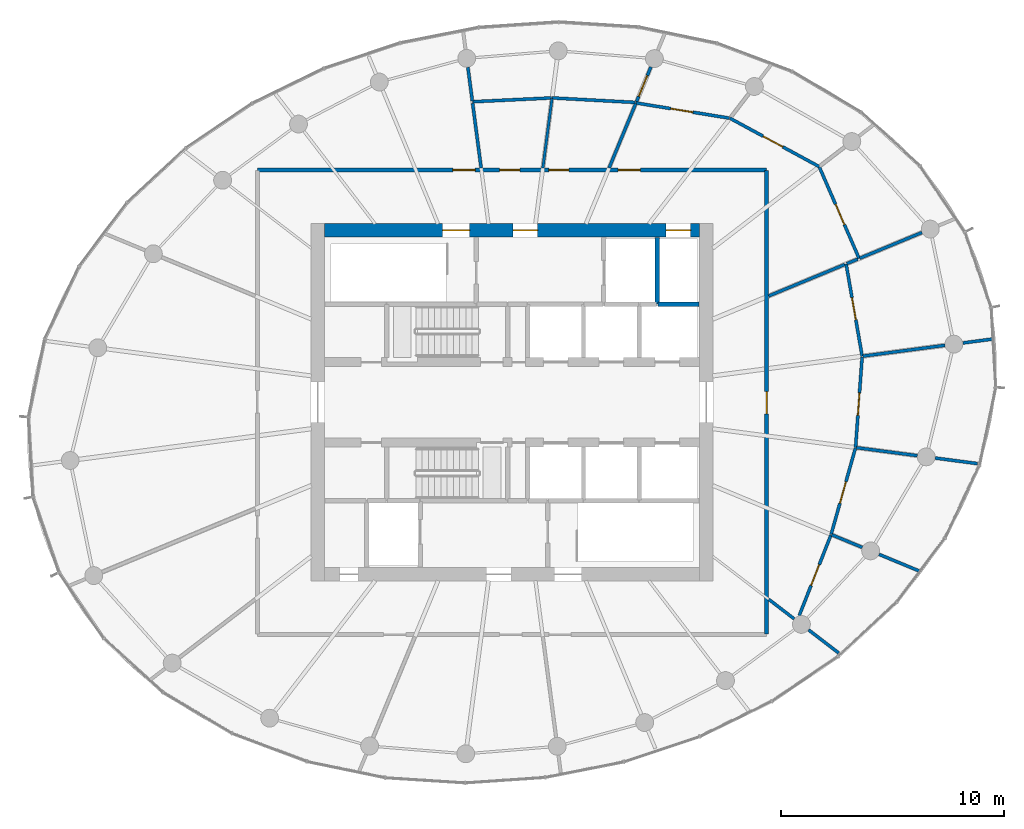
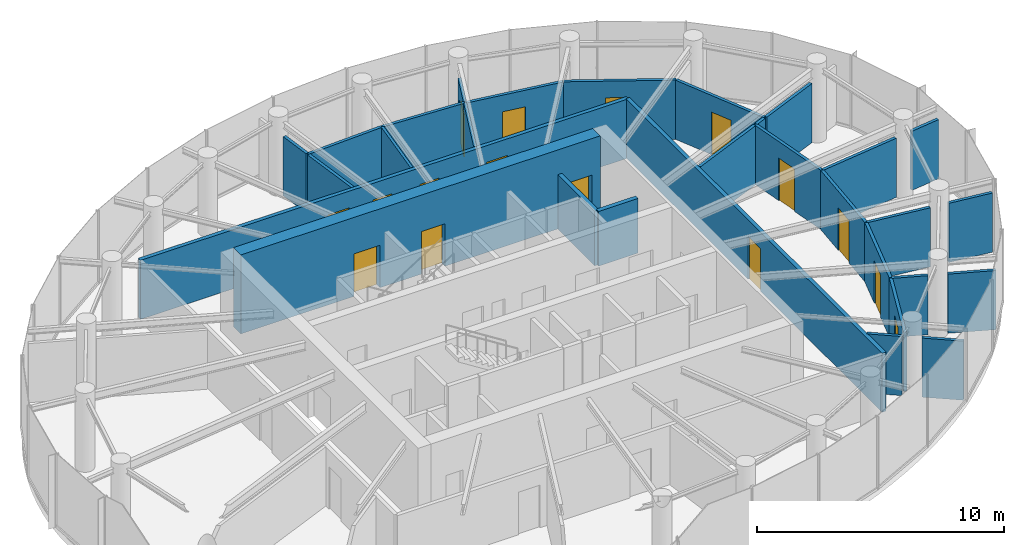
# One storey, part 10 of 13: 30 walls, 16 doors, 16 openings.
"""IFC4 building model written with IfcOpenShell, lengths in metres."""

from ifc_helpers import new_model, si_unit, direction, frame, frame_2d, origin, place, context, subcontext, project, spatial, rectangle, extrude, source, transform, mapped, material, layer, layer_set, type_object, element, fill, save


model = new_model("IFC4")

# Units and contexts
model_context = context("Model", 3, precision=1e-05, world=origin(), true_north=direction((0.0, 1.0)))
body_context = subcontext(model_context, "Body", "Model", "MODEL_VIEW")
ifc_project = project(units=[si_unit("LENGTHUNIT", "METRE"), si_unit("AREAUNIT", "SQUARE_METRE"), si_unit("VOLUMEUNIT", "CUBIC_METRE"), si_unit("PLANEANGLEUNIT", "RADIAN"), si_unit("MASSUNIT", "GRAM", prefix="KILO")], contexts=[model_context])

# Site, building, storey
site_placement = place(None, origin())
site = spatial("IfcSite", under=ifc_project, at=site_placement, CompositionType="ELEMENT")
building_placement = place(site_placement, origin())
building = spatial("IfcBuilding", under=site, at=building_placement, Name="Spindrift Exchange Tower", CompositionType="ELEMENT")
storey_placement = place(building_placement, frame((0.0, 0.0, 265.699951171875)))
storey = spatial("IfcBuildingStorey", under=building, at=storey_placement, Name="L65", CompositionType="ELEMENT", Elevation=265.699951171875)

# Wall, openings, doors
ifc_material_1 = material(Name="Concrete 50 MPa", Category="concrete")
ifc_layer_1 = layer(ifc_material_1, 0.60009765625)
ifc_layer_set_1 = layer_set([ifc_layer_1], Name="RC Core Wall 600 Concrete 50 MPa")
wall_type_1 = type_object("IfcWallType", Name="RC Core Wall 600 Concrete 50 MPa", PredefinedType="SHEAR", material=ifc_layer_set_1)
wall_1_placement = place(storey_placement, frame((60.39990234375, 55.699951171875, 0.0), z_axis=(0.0, 0.0, 1.0), x_axis=(-1.0, 0.0, 0.0)))
wall_1 = element("IfcWall", 1, at=wall_1_placement, inside=storey, type_object=wall_type_1, Name="Core wall N L65", PredefinedType="SHEAR", context=body_context, shape_type="SweptSolid", body=[
    extrude(rectangle(XDim=16.7998046875, YDim=0.60009765625, at=frame_2d((8.39990234375, 0.0))), origin(), (0.0, 0.0, 1.0), 3.900146484375),
])
opening_1_placement = place(wall_1_placement, frame((0.39990234375, 0.0, 0.0)))
opening_1 = element("IfcOpeningElement", 2, at=opening_1_placement, cuts=wall_1, Name="Opening L65-D11", PredefinedType="OPENING", context=body_context, shape_type="SweptSolid", body=[
    extrude(rectangle(XDim=1.10009765625, YDim=2.10009765625, at=frame_2d((0.550048828125, 1.050048828125))), frame((0.0, 0.31005859375, 0.0), z_axis=(0.0, -1.0, 0.0), x_axis=(1.0, 0.0, 0.0)), (0.0, 0.0, 1.0), 0.6201171875),
])
opening_2_placement = place(wall_1_placement, frame((10.300048828125, 0.0, 0.0)))
opening_2 = element("IfcOpeningElement", 3, at=opening_2_placement, cuts=wall_1, Name="Opening L65-D12", PredefinedType="OPENING", context=body_context, shape_type="SweptSolid", body=[
    extrude(rectangle(XDim=1.199951171875, YDim=2.10009765625, at=frame_2d((0.60009765625, 1.050048828125))), frame((0.0, 0.31005859375, 0.0), z_axis=(0.0, -1.0, 0.0), x_axis=(1.0, 0.0, 0.0)), (0.0, 0.0, 1.0), 0.6201171875),
])
opening_3_placement = place(wall_1_placement, frame((7.25, 0.0, 0.0)))
opening_3 = element("IfcOpeningElement", 4, at=opening_3_placement, cuts=wall_1, Name="Opening L65-D14", PredefinedType="OPENING", context=body_context, shape_type="SweptSolid", body=[
    extrude(rectangle(XDim=1.10009765625, YDim=2.10009765625, at=frame_2d((0.550048828125, 1.050048828125))), frame((0.0, 0.31005859375, 0.0), z_axis=(0.0, -1.0, 0.0), x_axis=(1.0, 0.0, 0.0)), (0.0, 0.0, 1.0), 0.6201171875),
])
ifc_material_2 = material(Name="Stainless steel landing door", Category="steel")
door_type_1 = type_object("IfcDoorType", Name="DR-LANDING-1100-SL", OperationType="DOUBLE_DOOR_SLIDING", PredefinedType="USERDEFINED", material=ifc_material_2)
shared_shape_1 = source(origin(), body_context, "Body", "SweptSolid", [
    extrude(rectangle(XDim=1.10009765625, YDim=2.10009765625, at=frame_2d((0.550048828125, 1.050048828125))), frame((0.0, 0.02490234375, 0.0), z_axis=(0.0, -1.0, 0.0), x_axis=(1.0, 0.0, 0.0)), (0.0, 0.0, 1.0), 0.050048828125),
])
door_1_placement = place(opening_1_placement, origin())
door_1 = element("IfcDoor", 5, at=door_1_placement, inside=storey, type_object=door_type_1, Name="L65 Lift landing door 11", ObjectType="LANDING DOOR", OperationType="DOUBLE_DOOR_SLIDING", OverallHeight=2.10009765625, OverallWidth=1.10009765625, PredefinedType="USERDEFINED", context=body_context, shape_type="MappedRepresentation", body=[
    mapped(shared_shape_1, transform((0.0, 0.0, 0.0), scale=1.0)),
])
fill(opening_1, door_1)
ifc_material_3 = material(Name="Steel fire door", Category="steel")
door_type_2 = type_object("IfcDoorType", Name="DR-STAIR-1200", OperationType="NOTDEFINED", PredefinedType="DOOR", material=ifc_material_3)
shared_shape_2 = source(origin(), body_context, "Body", "SweptSolid", [
    extrude(rectangle(XDim=1.199951171875, YDim=2.10009765625, at=frame_2d((0.60009765625, 1.050048828125))), frame((0.0, 0.02490234375, 0.0), z_axis=(0.0, -1.0, 0.0), x_axis=(1.0, 0.0, 0.0)), (0.0, 0.0, 1.0), 0.050048828125),
])
door_2_placement = place(opening_2_placement, origin())
door_2 = element("IfcDoor", 6, at=door_2_placement, inside=storey, type_object=door_type_2, Name="L65 Stair door 12", OperationType="SINGLE_SWING_RIGHT", OverallHeight=2.10009765625, OverallWidth=1.199951171875, PredefinedType="DOOR", context=body_context, shape_type="MappedRepresentation", body=[
    mapped(shared_shape_2, transform((0.0, 0.0, 0.0), scale=1.0)),
])
fill(opening_2, door_2)
ifc_material_4 = material(Name="Timber-core fire door", Category="wood")
door_type_3 = type_object("IfcDoorType", Name="DR-LOBBY-1100", OperationType="NOTDEFINED", PredefinedType="DOOR", material=ifc_material_4)
shared_shape_3 = source(origin(), body_context, "Body", "SweptSolid", [
    extrude(rectangle(XDim=1.10009765625, YDim=2.10009765625, at=frame_2d((0.550048828125, 1.050048828125))), frame((0.0, 0.02490234375, 0.0), z_axis=(0.0, -1.0, 0.0), x_axis=(1.0, 0.0, 0.0)), (0.0, 0.0, 1.0), 0.050048828125),
])
door_3_placement = place(opening_3_placement, origin())
door_3 = element("IfcDoor", 7, at=door_3_placement, inside=storey, type_object=door_type_3, Name="L65 Lobby door 14", OperationType="SINGLE_SWING_RIGHT", OverallHeight=2.10009765625, OverallWidth=1.10009765625, PredefinedType="DOOR", context=body_context, shape_type="MappedRepresentation", body=[
    mapped(shared_shape_3, transform((0.0, 0.0, 0.0), scale=1.0)),
])
fill(opening_3, door_3)

ifc_material_5 = material(Name="Fire-rated plasterboard partition", Category="gypsum")
ifc_layer_2 = layer(ifc_material_5, 0.179931640625)
ifc_layer_set_2 = layer_set([ifc_layer_2], Name="W-CORR-180")
wall_type_2 = type_object("IfcWallType", Name="W-CORR-180", PredefinedType="PARTITIONING", material=ifc_layer_set_2)
wall_2_placement = place(storey_placement, frame((40.60009765625, 58.39990234375, 0.0), z_axis=(0.0, 0.0, 1.0), x_axis=(1.0, 0.0, 0.0)))
wall_2 = element("IfcWall", 8, at=wall_2_placement, inside=storey, type_object=wall_type_2, Name="L65 Partition wall 35", PredefinedType="PARTITIONING", context=body_context, shape_type="SweptSolid", body=[
    extrude(rectangle(XDim=22.7998046875, YDim=0.179931640625, at=frame_2d((11.39990234375, 0.0))), origin(), (0.0, 0.0, 1.0), 2.920166015625),
])
opening_4_placement = place(wall_2_placement, frame((13.050048828125, 0.0, 0.0)))
opening_4 = element("IfcOpeningElement", 9, at=opening_4_placement, cuts=wall_2, Name="Opening L65-D23", PredefinedType="OPENING", context=body_context, shape_type="SweptSolid", body=[
    extrude(rectangle(XDim=0.89990234375, YDim=2.10009765625, at=frame_2d((0.449951171875, 1.050048828125))), frame((0.0, 0.099853515625, 0.0), z_axis=(0.0, -1.0, 0.0), x_axis=(1.0, 0.0, 0.0)), (0.0, 0.0, 1.0), 0.199951171875),
])
opening_5_placement = place(wall_2_placement, frame((10.85009765625, 0.0, 0.0)))
opening_5 = element("IfcOpeningElement", 10, at=opening_5_placement, cuts=wall_2, Name="Opening L65-D24", PredefinedType="OPENING", context=body_context, shape_type="SweptSolid", body=[
    extrude(rectangle(XDim=0.89990234375, YDim=2.10009765625, at=frame_2d((0.449951171875, 1.050048828125))), frame((0.0, 0.099853515625, 0.0), z_axis=(0.0, -1.0, 0.0), x_axis=(1.0, 0.0, 0.0)), (0.0, 0.0, 1.0), 0.199951171875),
])
opening_6_placement = place(wall_2_placement, frame((8.75, 0.0, 0.0)))
opening_6 = element("IfcOpeningElement", 11, at=opening_6_placement, cuts=wall_2, Name="Opening L65-D25", PredefinedType="OPENING", context=body_context, shape_type="SweptSolid", body=[
    extrude(rectangle(XDim=1.0, YDim=2.10009765625, at=frame_2d((0.5, 1.050048828125))), frame((0.0, 0.099853515625, 0.0), z_axis=(0.0, -1.0, 0.0), x_axis=(1.0, 0.0, 0.0)), (0.0, 0.0, 1.0), 0.199951171875),
])
opening_7_placement = place(wall_2_placement, frame((16.14990234375, 0.0, 0.0)))
opening_7 = element("IfcOpeningElement", 12, at=opening_7_placement, cuts=wall_2, Name="Opening L65-D37", PredefinedType="OPENING", context=body_context, shape_type="SweptSolid", body=[
    extrude(rectangle(XDim=1.0, YDim=2.10009765625, at=frame_2d((0.5, 1.050048828125))), frame((0.0, 0.099853515625, 0.0), z_axis=(0.0, -1.0, 0.0), x_axis=(1.0, 0.0, 0.0)), (0.0, 0.0, 1.0), 0.199951171875),
])
door_type_4 = type_object("IfcDoorType", Name="DR-ROOM-1000", OperationType="NOTDEFINED", PredefinedType="DOOR", material=ifc_material_4)
shared_shape_4 = source(origin(), body_context, "Body", "SweptSolid", [
    extrude(rectangle(XDim=1.0, YDim=2.10009765625, at=frame_2d((0.5, 1.050048828125))), frame((0.0, 0.02490234375, 0.0), z_axis=(0.0, -1.0, 0.0), x_axis=(1.0, 0.0, 0.0)), (0.0, 0.0, 1.0), 0.050048828125),
])
door_4_placement = place(opening_6_placement, origin())
door_4 = element("IfcDoor", 13, at=door_4_placement, inside=storey, type_object=door_type_4, Name="L65 Door 25", OperationType="SINGLE_SWING_LEFT", OverallHeight=2.10009765625, OverallWidth=1.0, PredefinedType="DOOR", context=body_context, shape_type="MappedRepresentation", body=[
    mapped(shared_shape_4, transform((0.0, 0.0, 0.0), scale=1.0)),
])
fill(opening_6, door_4)
door_5_placement = place(opening_7_placement, origin())
door_5 = element("IfcDoor", 14, at=door_5_placement, inside=storey, type_object=door_type_4, Name="L65 Door 37", OperationType="SINGLE_SWING_LEFT", OverallHeight=2.10009765625, OverallWidth=1.0, PredefinedType="DOOR", context=body_context, shape_type="MappedRepresentation", body=[
    mapped(shared_shape_4, transform((0.0, 0.0, 0.0), scale=1.0)),
])
fill(opening_7, door_5)
ifc_material_6 = material(Name="Laminate washroom door", Category="wood")
door_type_5 = type_object("IfcDoorType", Name="DR-WC-900", OperationType="NOTDEFINED", PredefinedType="DOOR", material=ifc_material_6)
shared_shape_5 = source(origin(), body_context, "Body", "SweptSolid", [
    extrude(rectangle(XDim=0.89990234375, YDim=2.10009765625, at=frame_2d((0.449951171875, 1.050048828125))), frame((0.0, 0.02490234375, 0.0), z_axis=(0.0, -1.0, 0.0), x_axis=(1.0, 0.0, 0.0)), (0.0, 0.0, 1.0), 0.050048828125),
])
door_6_placement = place(opening_4_placement, origin())
door_6 = element("IfcDoor", 15, at=door_6_placement, inside=storey, type_object=door_type_5, Name="L65 WC door 23", OperationType="SINGLE_SWING_LEFT", OverallHeight=2.10009765625, OverallWidth=0.89990234375, PredefinedType="DOOR", context=body_context, shape_type="MappedRepresentation", body=[
    mapped(shared_shape_5, transform((0.0, 0.0, 0.0), scale=1.0)),
])
fill(opening_4, door_6)
door_7_placement = place(opening_5_placement, origin())
door_7 = element("IfcDoor", 16, at=door_7_placement, inside=storey, type_object=door_type_5, Name="L65 WC door 24", OperationType="SINGLE_SWING_RIGHT", OverallHeight=2.10009765625, OverallWidth=0.89990234375, PredefinedType="DOOR", context=body_context, shape_type="MappedRepresentation", body=[
    mapped(shared_shape_5, transform((0.0, 0.0, 0.0), scale=1.0)),
])
fill(opening_5, door_7)

# Wall, opening, door
wall_3_placement = place(storey_placement, frame((63.39990234375, 58.3701171875, 0.0), z_axis=(0.0, 0.0, 1.0), x_axis=(0.0, -1.0, 0.0)))
wall_3 = element("IfcWall", 17, at=wall_3_placement, inside=storey, type_object=wall_type_2, Name="L65 Partition wall 37", PredefinedType="PARTITIONING", context=body_context, shape_type="SweptSolid", body=[
    extrude(rectangle(XDim=20.740234375, YDim=0.179931640625, at=frame_2d((10.3701171875, 0.0))), origin(), (0.0, 0.0, 1.0), 2.920166015625),
])
opening_8_placement = place(wall_3_placement, frame((9.889892578125, 0.0, 0.0)))
opening_8 = element("IfcOpeningElement", 18, at=opening_8_placement, cuts=wall_3, Name="Opening L65-D32", PredefinedType="OPENING", context=body_context, shape_type="SweptSolid", body=[
    extrude(rectangle(XDim=1.0, YDim=2.10009765625, at=frame_2d((0.5, 1.050048828125))), frame((0.0, 0.099853515625, 0.0), z_axis=(0.0, -1.0, 0.0), x_axis=(1.0, 0.0, 0.0)), (0.0, 0.0, 1.0), 0.199951171875),
])
door_8_placement = place(opening_8_placement, origin())
door_8 = element("IfcDoor", 19, at=door_8_placement, inside=storey, type_object=door_type_4, Name="L65 Door 32", OperationType="SINGLE_SWING_RIGHT", OverallHeight=2.10009765625, OverallWidth=1.0, PredefinedType="DOOR", context=body_context, shape_type="MappedRepresentation", body=[
    mapped(shared_shape_4, transform((0.0, 0.0, 0.0), scale=1.0)),
])
fill(opening_8, door_8)

ifc_layer_3 = layer(ifc_material_5, 0.139892578125)
ifc_layer_set_3 = layer_set([ifc_layer_3], Name="W-PART-140")
wall_type_3 = type_object("IfcWallType", Name="W-PART-140", PredefinedType="PARTITIONING", material=ifc_layer_set_3)
wall_4_placement = place(storey_placement, frame((61.755859375, 60.714111328125, 0.0), z_axis=(0.0, 0.0, 1.0), x_axis=(0.879039493049, -0.47674895874, 0.0)))
wall_4 = element("IfcWall", 20, at=wall_4_placement, inside=storey, type_object=wall_type_3, Name="L65 Partition wall 43", PredefinedType="PARTITIONING", context=body_context, shape_type="SweptSolid", body=[
    extrude(rectangle(XDim=4.541259765625, YDim=0.139892578125, at=frame_2d((2.2705078125, 0.0))), origin(), (0.0, 0.0, 1.0), 2.920166015625),
])
opening_9_placement = place(wall_4_placement, frame((1.691162109375, 0.0, 0.0)))
opening_9 = element("IfcOpeningElement", 21, at=opening_9_placement, cuts=wall_4, Name="Opening L65-D39", PredefinedType="OPENING", context=body_context, shape_type="SweptSolid", body=[
    extrude(rectangle(XDim=1.0, YDim=2.10009765625, at=frame_2d((0.5, 1.050048828125))), frame((0.0, 0.079833984375, 0.0), z_axis=(0.0, -1.0, 0.0), x_axis=(1.0, 0.0, 0.0)), (0.0, 0.0, 1.0), 0.159912109375),
])
door_9_placement = place(opening_9_placement, origin())
door_9 = element("IfcDoor", 22, at=door_9_placement, inside=storey, type_object=door_type_4, Name="L65 Door 39", OperationType="SINGLE_SWING_LEFT", OverallHeight=2.10009765625, OverallWidth=1.0, PredefinedType="DOOR", context=body_context, shape_type="MappedRepresentation", body=[
    mapped(shared_shape_4, transform((0.0, 0.0, 0.0), scale=1.0)),
])
fill(opening_9, door_9)

wall_5_placement = place(storey_placement, frame((65.759765625, 58.521484375, 0.0), z_axis=(0.0, 0.0, 1.0), x_axis=(0.398952504151, -0.916971591398, 0.0)))
wall_5 = element("IfcWall", 23, at=wall_5_placement, inside=storey, type_object=wall_type_3, Name="L65 Partition wall 44", PredefinedType="PARTITIONING", context=body_context, shape_type="SweptSolid", body=[
    extrude(rectangle(XDim=4.45556640625, YDim=0.139892578125, at=frame_2d((2.227783203125, 0.0))), origin(), (0.0, 0.0, 1.0), 2.920166015625),
])
opening_10_placement = place(wall_5_placement, frame((1.8056640625, 0.0, 0.0)))
opening_10 = element("IfcOpeningElement", 24, at=opening_10_placement, cuts=wall_5, Name="Opening L65-D38", PredefinedType="OPENING", context=body_context, shape_type="SweptSolid", body=[
    extrude(rectangle(XDim=1.0, YDim=2.10009765625, at=frame_2d((0.5, 1.050048828125))), frame((0.0, 0.079833984375, 0.0), z_axis=(0.0, -1.0, 0.0), x_axis=(1.0, 0.0, 0.0)), (0.0, 0.0, 1.0), 0.159912109375),
])
door_10_placement = place(opening_10_placement, origin())
door_10 = element("IfcDoor", 25, at=door_10_placement, inside=storey, type_object=door_type_4, Name="L65 Door 38", OperationType="SINGLE_SWING_RIGHT", OverallHeight=2.10009765625, OverallWidth=1.0, PredefinedType="DOOR", context=body_context, shape_type="MappedRepresentation", body=[
    mapped(shared_shape_4, transform((0.0, 0.0, 0.0), scale=1.0)),
])
fill(opening_10, door_10)

wall_6_placement = place(storey_placement, frame((57.5498046875, 61.3984375, 0.0), z_axis=(0.0, 0.0, 1.0), x_axis=(0.987024287771, -0.160571028986, 0.0)))
wall_6 = element("IfcWall", 26, at=wall_6_placement, inside=storey, type_object=wall_type_3, Name="L65 Partition wall 46", PredefinedType="PARTITIONING", context=body_context, shape_type="SweptSolid", body=[
    extrude(rectangle(XDim=4.2314453125, YDim=0.139892578125, at=frame_2d((2.11572265625, 0.0))), origin(), (0.0, 0.0, 1.0), 2.920166015625),
])
opening_11_placement = place(wall_6_placement, frame((1.581298828125, 0.0, 0.0)))
opening_11 = element("IfcOpeningElement", 27, at=opening_11_placement, cuts=wall_6, Name="Opening L65-D40", PredefinedType="OPENING", context=body_context, shape_type="SweptSolid", body=[
    extrude(rectangle(XDim=1.0, YDim=2.10009765625, at=frame_2d((0.5, 1.050048828125))), frame((0.0, 0.079833984375, 0.0), z_axis=(0.0, -1.0, 0.0), x_axis=(1.0, 0.0, 0.0)), (0.0, 0.0, 1.0), 0.159912109375),
])
door_11_placement = place(opening_11_placement, origin())
door_11 = element("IfcDoor", 28, at=door_11_placement, inside=storey, type_object=door_type_4, Name="L65 Door 40", OperationType="SINGLE_SWING_RIGHT", OverallHeight=2.10009765625, OverallWidth=1.0, PredefinedType="DOOR", context=body_context, shape_type="MappedRepresentation", body=[
    mapped(shared_shape_4, transform((0.0, 0.0, 0.0), scale=1.0)),
])
fill(opening_11, door_11)

wall_7_placement = place(storey_placement, frame((66.95361328125, 54.194091796875, 0.0), z_axis=(0.0, 0.0, 1.0), x_axis=(0.171306772049, -0.985217737279, 0.0)))
wall_7 = element("IfcWall", 29, at=wall_7_placement, inside=storey, type_object=wall_type_3, Name="L65 Partition wall 47", PredefinedType="PARTITIONING", context=body_context, shape_type="SweptSolid", body=[
    extrude(rectangle(XDim=4.19287109375, YDim=0.139892578125, at=frame_2d((2.096435546875, 0.0))), origin(), (0.0, 0.0, 1.0), 2.920166015625),
])
opening_12_placement = place(wall_7_placement, frame((1.542724609375, 0.0, 0.0)))
opening_12 = element("IfcOpeningElement", 30, at=opening_12_placement, cuts=wall_7, Name="Opening L65-D36", PredefinedType="OPENING", context=body_context, shape_type="SweptSolid", body=[
    extrude(rectangle(XDim=1.0, YDim=2.10009765625, at=frame_2d((0.5, 1.050048828125))), frame((0.0, 0.079833984375, 0.0), z_axis=(0.0, -1.0, 0.0), x_axis=(1.0, 0.0, 0.0)), (0.0, 0.0, 1.0), 0.159912109375),
])
door_12_placement = place(opening_12_placement, origin())
door_12 = element("IfcDoor", 31, at=door_12_placement, inside=storey, type_object=door_type_4, Name="L65 Door 36", OperationType="SINGLE_SWING_RIGHT", OverallHeight=2.10009765625, OverallWidth=1.0, PredefinedType="DOOR", context=body_context, shape_type="MappedRepresentation", body=[
    mapped(shared_shape_4, transform((0.0, 0.0, 0.0), scale=1.0)),
])
fill(opening_12, door_12)

wall_8_placement = place(storey_placement, frame((67.669677734375, 50.033203125, 0.0), z_axis=(0.0, 0.0, 1.0), x_axis=(-0.071895294676, -0.997412184908, 0.0)))
wall_8 = element("IfcWall", 32, at=wall_8_placement, inside=storey, type_object=wall_type_3, Name="L65 Partition wall 48", PredefinedType="PARTITIONING", context=body_context, shape_type="SweptSolid", body=[
    extrude(rectangle(XDim=4.068115234375, YDim=0.139892578125, at=frame_2d((2.0341796875, 0.0))), origin(), (0.0, 0.0, 1.0), 2.920166015625),
])
opening_13_placement = place(wall_8_placement, frame((1.618408203125, 0.0, 0.0)))
opening_13 = element("IfcOpeningElement", 33, at=opening_13_placement, cuts=wall_8, Name="Opening L65-D35", PredefinedType="OPENING", context=body_context, shape_type="SweptSolid", body=[
    extrude(rectangle(XDim=1.0, YDim=2.10009765625, at=frame_2d((0.5, 1.050048828125))), frame((0.0, 0.079833984375, 0.0), z_axis=(0.0, -1.0, 0.0), x_axis=(1.0, 0.0, 0.0)), (0.0, 0.0, 1.0), 0.159912109375),
])
door_13_placement = place(opening_13_placement, origin())
door_13 = element("IfcDoor", 34, at=door_13_placement, inside=storey, type_object=door_type_4, Name="L65 Door 35", OperationType="SINGLE_SWING_LEFT", OverallHeight=2.10009765625, OverallWidth=1.0, PredefinedType="DOOR", context=body_context, shape_type="MappedRepresentation", body=[
    mapped(shared_shape_4, transform((0.0, 0.0, 0.0), scale=1.0)),
])
fill(opening_13, door_13)

wall_9_placement = place(storey_placement, frame((67.368896484375, 45.94677734375, 0.0), z_axis=(0.0, 0.0, 1.0), x_axis=(-0.270692717002, -0.962665805439, 0.0)))
wall_9 = element("IfcWall", 35, at=wall_9_placement, inside=storey, type_object=wall_type_3, Name="L65 Partition wall 49", PredefinedType="PARTITIONING", context=body_context, shape_type="SweptSolid", body=[
    extrude(rectangle(XDim=4.0126953125, YDim=0.139892578125, at=frame_2d((2.00634765625, 0.0))), origin(), (0.0, 0.0, 1.0), 2.920166015625),
])
opening_14_placement = place(wall_9_placement, frame((1.5625, 0.0, 0.0)))
opening_14 = element("IfcOpeningElement", 36, at=opening_14_placement, cuts=wall_9, Name="Opening L65-D34", PredefinedType="OPENING", context=body_context, shape_type="SweptSolid", body=[
    extrude(rectangle(XDim=1.0, YDim=2.10009765625, at=frame_2d((0.5, 1.050048828125))), frame((0.0, 0.079833984375, 0.0), z_axis=(0.0, -1.0, 0.0), x_axis=(1.0, 0.0, 0.0)), (0.0, 0.0, 1.0), 0.159912109375),
])
door_14_placement = place(opening_14_placement, origin())
door_14 = element("IfcDoor", 37, at=door_14_placement, inside=storey, type_object=door_type_4, Name="L65 Door 34", OperationType="SINGLE_SWING_RIGHT", OverallHeight=2.10009765625, OverallWidth=1.0, PredefinedType="DOOR", context=body_context, shape_type="MappedRepresentation", body=[
    mapped(shared_shape_4, transform((0.0, 0.0, 0.0), scale=1.0)),
])
fill(opening_14, door_14)

wall_10_placement = place(storey_placement, frame((66.271728515625, 42.055908203125, 0.0), z_axis=(0.0, 0.0, 1.0), x_axis=(-0.365958681955, -0.930631099363, 0.0)))
wall_10 = element("IfcWall", 38, at=wall_10_placement, inside=storey, type_object=wall_type_3, Name="L65 Partition wall 50", PredefinedType="PARTITIONING", context=body_context, shape_type="SweptSolid", body=[
    extrude(rectangle(XDim=3.871337890625, YDim=0.139892578125, at=frame_2d((1.935546875, 0.0))), origin(), (0.0, 0.0, 1.0), 2.920166015625),
])
opening_15_placement = place(wall_10_placement, frame((1.42138671875, 0.0, 0.0)))
opening_15 = element("IfcOpeningElement", 39, at=opening_15_placement, cuts=wall_10, Name="Opening L65-D33", PredefinedType="OPENING", context=body_context, shape_type="SweptSolid", body=[
    extrude(rectangle(XDim=1.0, YDim=2.10009765625, at=frame_2d((0.5, 1.050048828125))), frame((0.0, 0.079833984375, 0.0), z_axis=(0.0, -1.0, 0.0), x_axis=(1.0, 0.0, 0.0)), (0.0, 0.0, 1.0), 0.159912109375),
])
door_15_placement = place(opening_15_placement, origin())
door_15 = element("IfcDoor", 40, at=door_15_placement, inside=storey, type_object=door_type_4, Name="L65 Door 33", OperationType="SINGLE_SWING_LEFT", OverallHeight=2.10009765625, OverallWidth=1.0, PredefinedType="DOOR", context=body_context, shape_type="MappedRepresentation", body=[
    mapped(shared_shape_4, transform((0.0, 0.0, 0.0), scale=1.0)),
])
fill(opening_15, door_15)

# Walls
wall_11_placement = place(storey_placement, frame((63.489990234375, 52.75927734375, 0.0), z_axis=(0.0, 0.0, 1.0), x_axis=(0.923884131492, 0.382672329255, 0.0)))
element("IfcWall", 41, at=wall_11_placement, inside=storey, type_object=wall_type_3, Name="L65 Partition wall 51", PredefinedType="PARTITIONING", context=body_context, shape_type="SweptSolid", body=[
    extrude(rectangle(XDim=3.67724609375, YDim=0.139892578125, at=frame_2d((1.838623046875, 0.0))), origin(), (0.0, 0.0, 1.0), 2.920166015625),
])
wall_12_placement = place(storey_placement, frame((57.53076171875, 61.42138671875, 0.0), z_axis=(0.0, 0.0, 1.0), x_axis=(-0.998536661474, 0.05407897644, 0.0)))
element("IfcWall", 42, at=wall_12_placement, inside=storey, type_object=wall_type_3, Name="L65 Partition wall 52", PredefinedType="PARTITIONING", context=body_context, shape_type="SweptSolid", body=[
    extrude(rectangle(XDim=3.742431640625, YDim=0.139892578125, at=frame_2d((1.87109375, 0.0))), origin(), (0.0, 0.0, 1.0), 2.920166015625),
])
wall_13_placement = place(storey_placement, frame((67.701416015625, 50.067138671875, 0.0), z_axis=(0.0, 0.0, 1.0), x_axis=(0.991450259567, 0.130485182315, 0.0)))
element("IfcWall", 43, at=wall_13_placement, inside=storey, type_object=wall_type_3, Name="L65 Partition wall 53", PredefinedType="PARTITIONING", context=body_context, shape_type="SweptSolid", body=[
    extrude(rectangle(XDim=3.70654296875, YDim=0.139892578125, at=frame_2d((1.853271484375, 0.0))), origin(), (0.0, 0.0, 1.0), 2.920166015625),
])
wall_14_placement = place(storey_placement, frame((53.763671875, 61.622314453125, 0.0), z_axis=(0.0, 0.0, 1.0), x_axis=(-0.998856400799, -0.047810988103, 0.0)))
element("IfcWall", 44, at=wall_14_placement, inside=storey, type_object=wall_type_3, Name="L65 Partition wall 54", PredefinedType="PARTITIONING", context=body_context, shape_type="SweptSolid", body=[
    extrude(rectangle(XDim=3.538818359375, YDim=0.139892578125, at=frame_2d((1.76953125, 0.0))), origin(), (0.0, 0.0, 1.0), 2.920166015625),
])
wall_15_placement = place(storey_placement, frame((56.34521484375, 58.489990234375, 0.0), z_axis=(0.0, 0.0, 1.0), x_axis=(0.382635311625, 0.923899463306, 0.0)))
element("IfcWall", 45, at=wall_15_placement, inside=storey, type_object=wall_type_3, Name="L65 Partition wall 55", PredefinedType="PARTITIONING", context=body_context, shape_type="SweptSolid", body=[
    extrude(rectangle(XDim=3.1181640625, YDim=0.139892578125, at=frame_2d((1.55908203125, 0.0))), origin(), (0.0, 0.0, 1.0), 2.920166015625),
])
wall_16_placement = place(storey_placement, frame((50.618896484375, 58.489990234375, 0.0), z_axis=(0.0, 0.0, 1.0), x_axis=(-0.130497790763, 0.991448600083, 0.0)))
element("IfcWall", 46, at=wall_16_placement, inside=storey, type_object=wall_type_3, Name="L65 Partition wall 56", PredefinedType="PARTITIONING", context=body_context, shape_type="SweptSolid", body=[
    extrude(rectangle(XDim=2.91845703125, YDim=0.139892578125, at=frame_2d((1.459228515625, 0.0))), origin(), (0.0, 0.0, 1.0), 2.920166015625),
])
wall_17_placement = place(storey_placement, frame((67.565185546875, 54.447265625, 0.0), z_axis=(0.0, 0.0, 1.0), x_axis=(0.923881369595, 0.382678997223, 0.0)))
element("IfcWall", 47, at=wall_17_placement, inside=storey, type_object=wall_type_3, Name="L65 Partition wall 57", PredefinedType="PARTITIONING", context=body_context, shape_type="SweptSolid", body=[
    extrude(rectangle(XDim=3.00927734375, YDim=0.139892578125, at=frame_2d((1.504638671875, 0.0))), origin(), (0.0, 0.0, 1.0), 2.920166015625),
])
wall_18_placement = place(storey_placement, frame((67.40673828125, 45.9716796875, 0.0), z_axis=(0.0, 0.0, 1.0), x_axis=(0.991448565266, -0.13049805528, 0.0)))
element("IfcWall", 48, at=wall_18_placement, inside=storey, type_object=wall_type_3, Name="L65 Partition wall 58", PredefinedType="PARTITIONING", context=body_context, shape_type="SweptSolid", body=[
    extrude(rectangle(XDim=2.755859375, YDim=0.139892578125, at=frame_2d((1.3779296875, 0.0))), origin(), (0.0, 0.0, 1.0), 2.920166015625),
])
wall_19_placement = place(storey_placement, frame((68.42578125, 41.1962890625, 0.0), z_axis=(0.0, 0.0, 1.0), x_axis=(0.923874199787, -0.382696306447, 0.0)))
element("IfcWall", 49, at=wall_19_placement, inside=storey, type_object=wall_type_3, Name="L65 Partition wall 60", PredefinedType="PARTITIONING", context=body_context, shape_type="SweptSolid", body=[
    extrude(rectangle(XDim=1.9609375, YDim=0.139892578125, at=frame_2d((0.98046875, 0.0))), origin(), (0.0, 0.0, 1.0), 2.920166015625),
])
wall_20_placement = place(storey_placement, frame((70.941162109375, 45.50634765625, 0.0), z_axis=(0.0, 0.0, 1.0), x_axis=(0.991447762037, -0.130504157605, 0.0)))
element("IfcWall", 50, at=wall_20_placement, inside=storey, type_object=wall_type_3, Name="L65 Partition wall 61", PredefinedType="PARTITIONING", context=body_context, shape_type="SweptSolid", body=[
    extrude(rectangle(XDim=1.908203125, YDim=0.139892578125, at=frame_2d((0.9541015625, 0.0))), origin(), (0.0, 0.0, 1.0), 2.920166015625),
])

# Wall, opening, door
wall_21_placement = place(storey_placement, frame((57.577392578125, 61.46484375, 0.0), z_axis=(0.0, 0.0, 1.0), x_axis=(0.3827260732, 0.923861868946, 0.0)))
wall_21 = element("IfcWall", 51, at=wall_21_placement, inside=storey, type_object=wall_type_3, Name="L65 Partition wall 62", PredefinedType="PARTITIONING", context=body_context, shape_type="SweptSolid", body=[
    extrude(rectangle(XDim=1.670654296875, YDim=0.139892578125, at=frame_2d((0.83544921875, 0.0))), origin(), (0.0, 0.0, 1.0), 2.920166015625),
])
opening_16_placement = place(wall_21_placement, frame((0.25, 0.0, 0.0)))
opening_16 = element("IfcOpeningElement", 52, at=opening_16_placement, cuts=wall_21, Name="Opening L65-D26", PredefinedType="OPENING", context=body_context, shape_type="SweptSolid", body=[
    extrude(rectangle(XDim=1.0, YDim=2.10009765625, at=frame_2d((0.5, 1.050048828125))), frame((0.0, 0.079833984375, 0.0), z_axis=(0.0, -1.0, 0.0), x_axis=(1.0, 0.0, 0.0)), (0.0, 0.0, 1.0), 0.159912109375),
])
door_16_placement = place(opening_16_placement, origin())
door_16 = element("IfcDoor", 53, at=door_16_placement, inside=storey, type_object=door_type_4, Name="L65 Door 26", OperationType="SINGLE_SWING_RIGHT", OverallHeight=2.10009765625, OverallWidth=1.0, PredefinedType="DOOR", context=body_context, shape_type="MappedRepresentation", body=[
    mapped(shared_shape_4, transform((0.0, 0.0, 0.0), scale=1.0)),
])
fill(opening_16, door_16)

# Walls
wall_22_placement = place(storey_placement, frame((65.27392578125, 37.814453125, 0.0), z_axis=(0.0, 0.0, 1.0), x_axis=(0.793391519138, -0.608711670136, 0.0)))
element("IfcWall", 54, at=wall_22_placement, inside=storey, type_object=wall_type_3, Name="L65 Partition wall 63", PredefinedType="PARTITIONING", context=body_context, shape_type="SweptSolid", body=[
    extrude(rectangle(XDim=1.701416015625, YDim=0.139892578125, at=frame_2d((0.8505859375, 0.0))), origin(), (0.0, 0.0, 1.0), 2.920166015625),
])
wall_23_placement = place(storey_placement, frame((50.224853515625, 61.48291015625, 0.0), z_axis=(0.0, 0.0, 1.0), x_axis=(-0.130454512571, 0.991454295543, 0.0)))
element("IfcWall", 55, at=wall_23_placement, inside=storey, type_object=wall_type_3, Name="L65 Partition wall 64", PredefinedType="PARTITIONING", context=body_context, shape_type="SweptSolid", body=[
    extrude(rectangle(XDim=1.525146484375, YDim=0.139892578125, at=frame_2d((0.7626953125, 0.0))), origin(), (0.0, 0.0, 1.0), 2.920166015625),
])
wall_24_placement = place(storey_placement, frame((63.489990234375, 39.183349609375, 0.0), z_axis=(0.0, 0.0, 1.0), x_axis=(0.793316945216, -0.608808857059, 0.0)))
element("IfcWall", 56, at=wall_24_placement, inside=storey, type_object=wall_type_3, Name="L65 Partition wall 65", PredefinedType="PARTITIONING", context=body_context, shape_type="SweptSolid", body=[
    extrude(rectangle(XDim=1.439697265625, YDim=0.139892578125, at=frame_2d((0.7197265625, 0.0))), origin(), (0.0, 0.0, 1.0), 2.920166015625),
])
wall_25_placement = place(storey_placement, frame((66.310546875, 42.072509765625, 0.0), z_axis=(0.0, 0.0, 1.0), x_axis=(0.923807607281, -0.382857029098, 0.0)))
element("IfcWall", 57, at=wall_25_placement, inside=storey, type_object=wall_type_3, Name="L65 Partition wall 66", PredefinedType="PARTITIONING", context=body_context, shape_type="SweptSolid", body=[
    extrude(rectangle(XDim=1.4794921875, YDim=0.139892578125, at=frame_2d((0.73974609375, 0.0))), origin(), (0.0, 0.0, 1.0), 2.920166015625),
])
wall_26_placement = place(storey_placement, frame((72.178466796875, 50.656494140625, 0.0), z_axis=(0.0, 0.0, 1.0), x_axis=(0.991442117533, 0.13054703207, 0.0)))
element("IfcWall", 58, at=wall_26_placement, inside=storey, type_object=wall_type_3, Name="L65 Partition wall 69", PredefinedType="PARTITIONING", context=body_context, shape_type="SweptSolid", body=[
    extrude(rectangle(XDim=1.365234375, YDim=0.139892578125, at=frame_2d((0.6826171875, 0.0))), origin(), (0.0, 0.0, 1.0), 2.920166015625),
])
wall_27_placement = place(storey_placement, frame((66.9814453125, 54.20556640625, 0.0), z_axis=(0.0, 0.0, 1.0), x_axis=(0.923944086963, 0.382527546938, 0.0)))
element("IfcWall", 59, at=wall_27_placement, inside=storey, type_object=wall_type_3, Name="L65 Partition wall 79", PredefinedType="PARTITIONING", context=body_context, shape_type="SweptSolid", body=[
    extrude(rectangle(XDim=0.53173828125, YDim=0.139892578125, at=frame_2d((0.265869140625, 0.0))), origin(), (0.0, 0.0, 1.0), 2.920166015625),
])
ifc_material_7 = material(Name="Concrete 40 MPa", Category="concrete")
ifc_layer_4 = layer(ifc_material_7, 0.199951171875)
ifc_layer_set_4 = layer_set([ifc_layer_4], Name="W-SHAFT-200")
wall_type_4 = type_object("IfcWallType", Name="W-SHAFT-200", PredefinedType="SOLIDWALL", material=ifc_layer_set_4)
wall_28_placement = place(storey_placement, frame((58.5, 52.39990234375, 0.0), z_axis=(0.0, 0.0, 1.0), x_axis=(0.0, 1.0, 0.0)))
element("IfcWall", 60, at=wall_28_placement, inside=storey, type_object=wall_type_4, Name="L65 Shaft wall 8", PredefinedType="SOLIDWALL", context=body_context, shape_type="SweptSolid", body=[
    extrude(rectangle(XDim=2.97998046875, YDim=0.199951171875, at=frame_2d((1.489990234375, 0.0))), origin(), (0.0, 0.0, 1.0), 2.699951171875),
])
wall_29_placement = place(storey_placement, frame((60.3798828125, 52.39990234375, 0.0), z_axis=(0.0, 0.0, 1.0), x_axis=(-1.0, 0.0, 0.0)))
element("IfcWall", 61, at=wall_29_placement, inside=storey, type_object=wall_type_4, Name="L65 Shaft wall 24", PredefinedType="SOLIDWALL", context=body_context, shape_type="SweptSolid", body=[
    extrude(rectangle(XDim=1.849853515625, YDim=0.199951171875, at=frame_2d((0.9248046875, 0.0))), origin(), (0.0, 0.0, 1.0), 2.699951171875),
])
ifc_layer_5 = layer(ifc_material_5, 0.1201171875)
ifc_layer_set_5 = layer_set([ifc_layer_5], Name="W-WET-120")
wall_type_5 = type_object("IfcWallType", Name="W-WET-120", PredefinedType="PARTITIONING", material=ifc_layer_set_5)
wall_30_placement = place(storey_placement, frame((53.381103515625, 58.489990234375, 0.0), z_axis=(0.0, 0.0, 1.0), x_axis=(0.130529142565, 0.991444472949, 0.0)))
element("IfcWall", 62, at=wall_30_placement, inside=storey, type_object=wall_type_5, Name="L65 Partition wall 80", PredefinedType="PARTITIONING", context=body_context, shape_type="SweptSolid", body=[
    extrude(rectangle(XDim=3.131103515625, YDim=0.1201171875, at=frame_2d((1.5654296875, 0.0))), origin(), (0.0, 0.0, 1.0), 2.920166015625),
])

save(model, "model.ifc")
